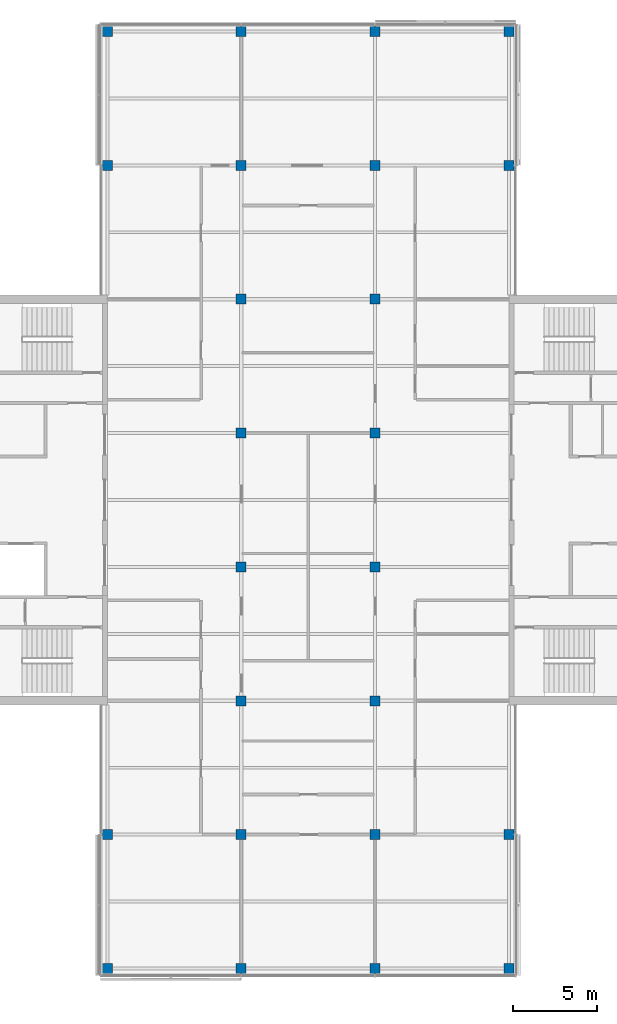
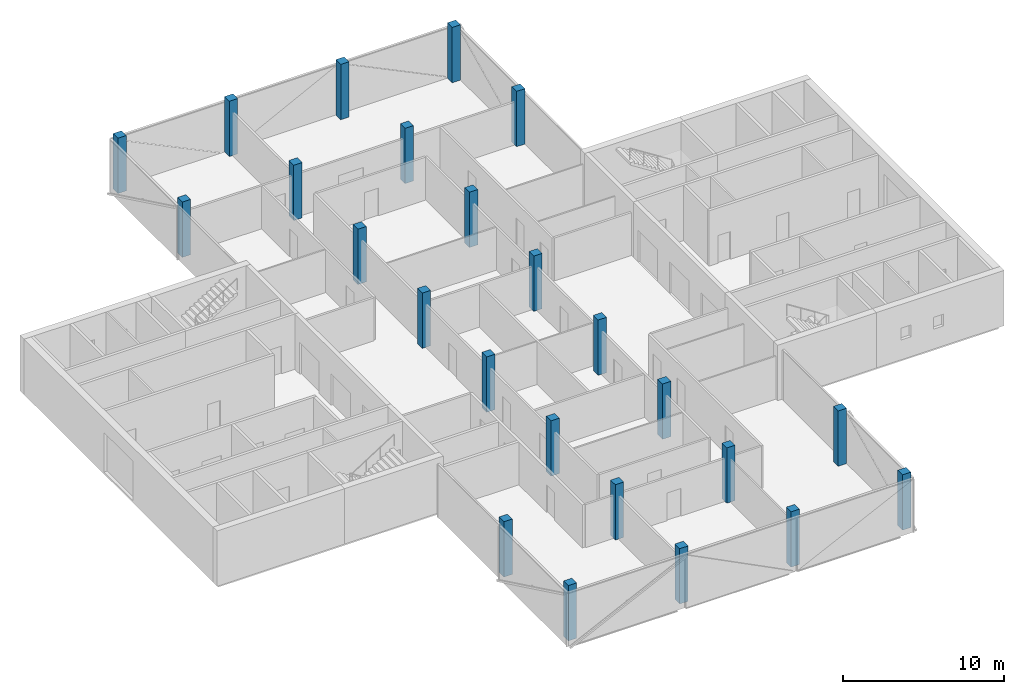
# One storey, part 1 of 16: 24 columns.
"""IFC4 building model written with IfcOpenShell, lengths in metres."""

from ifc_helpers import new_model, si_unit, direction, frame, origin, origin_2d, place, context, subcontext, project, spatial, rectangle, extrude, material, material_profile, profile_set, type_object, element, save


model = new_model("IFC4")

# Units and contexts
model_context = context("Model", 3, precision=1e-05, world=origin(), true_north=direction((0.0, 1.0)))
body_context = subcontext(model_context, "Body", "Model", "MODEL_VIEW")
ifc_project = project(units=[si_unit("LENGTHUNIT", "METRE"), si_unit("AREAUNIT", "SQUARE_METRE"), si_unit("VOLUMEUNIT", "CUBIC_METRE"), si_unit("PLANEANGLEUNIT", "RADIAN"), si_unit("MASSUNIT", "GRAM", prefix="KILO")], contexts=[model_context])

# Site, building, storey
site_placement = place(None, origin())
site = spatial("IfcSite", under=ifc_project, at=site_placement, CompositionType="ELEMENT")
building_placement = place(site_placement, origin())
building = spatial("IfcBuilding", under=site, at=building_placement, Name="Crosswind Convention Tower", CompositionType="ELEMENT")
storey_placement = place(building_placement, frame((0.0, 0.0, 299.699951171875)))
storey = spatial("IfcBuildingStorey", under=building, at=storey_placement, Name="L65", CompositionType="ELEMENT", Elevation=299.699951171875)

# Columns
ifc_material = material(Name="Concrete C60/75", Category="concrete")
ifc_material_profile = material_profile(ifc_material, rectangle(XDim=0.60009765625, YDim=0.60009765625, at=origin_2d()), Name="RC 600X600")
ifc_profile_set = profile_set([ifc_material_profile], Name="Concrete C60/75")
column_type = type_object("IfcColumnType", Name="Column RC 600X600", PredefinedType="COLUMN", material=ifc_profile_set)
for number, where, z_axis, x_axis, name in (
    (1, (113.0, 72.0, 0.0), (0.0, 0.0, 1.0), (1.0, 0.0, 0.0), "C16 L65 5/C"),
    (2, (113.0, 80.0, 0.0), (0.0, 0.0, 1.0), (1.0, 0.0, 0.0), "C16 L65 5/D"),
    (3, (113.0, 120.0, 0.0), (0.0, 0.0, 1.0), (1.0, 0.0, 0.0), "C16 L65 5/I"),
    (4, (113.0, 128.0, 0.0), (0.0, 0.0, 1.0), (1.0, 0.0, 0.0), "C16 L65 5/J"),
    (5, (121.0, 72.0, 0.0), (0.0, 0.0, 1.0), (1.0, 0.0, 0.0), "C16 L65 6/C"),
    (6, (121.0, 80.0, 0.0), (0.0, 0.0, 1.0), (1.0, 0.0, 0.0), "C16 L65 6/D"),
    (7, (121.0, 88.0, 0.0), (0.0, 0.0, 1.0), (1.0, 0.0, 0.0), "C16 L65 6/E"),
    (8, (121.0, 96.0, 0.0), (0.0, 0.0, 1.0), (1.0, 0.0, 0.0), "C16 L65 6/F"),
    (9, (121.0, 104.0, 0.0), (0.0, 0.0, 1.0), (1.0, 0.0, 0.0), "C16 L65 6/G"),
    (10, (121.0, 112.0, 0.0), (0.0, 0.0, 1.0), (1.0, 0.0, 0.0), "C16 L65 6/H"),
    (11, (121.0, 120.0, 0.0), (0.0, 0.0, 1.0), (1.0, 0.0, 0.0), "C16 L65 6/I"),
    (12, (121.0, 128.0, 0.0), (0.0, 0.0, 1.0), (1.0, 0.0, 0.0), "C16 L65 6/J"),
    (13, (129.0, 72.0, 0.0), (0.0, 0.0, 1.0), (1.0, 0.0, 0.0), "C16 L65 7/C"),
    (14, (129.0, 80.0, 0.0), (0.0, 0.0, 1.0), (1.0, 0.0, 0.0), "C16 L65 7/D"),
    (15, (129.0, 88.0, 0.0), (0.0, 0.0, 1.0), (1.0, 0.0, 0.0), "C16 L65 7/E"),
    (16, (129.0, 96.0, 0.0), (0.0, 0.0, 1.0), (1.0, 0.0, 0.0), "C16 L65 7/F"),
    (17, (129.0, 104.0, 0.0), (0.0, 0.0, 1.0), (1.0, 0.0, 0.0), "C16 L65 7/G"),
    (18, (129.0, 112.0, 0.0), (0.0, 0.0, 1.0), (1.0, 0.0, 0.0), "C16 L65 7/H"),
    (19, (129.0, 120.0, 0.0), (0.0, 0.0, 1.0), (1.0, 0.0, 0.0), "C16 L65 7/I"),
    (20, (129.0, 128.0, 0.0), (0.0, 0.0, 1.0), (1.0, 0.0, 0.0), "C16 L65 7/J"),
    (21, (137.0, 72.0, 0.0), (0.0, 0.0, 1.0), (1.0, 0.0, 0.0), "C16 L65 8/C"),
    (22, (137.0, 80.0, 0.0), (0.0, 0.0, 1.0), (1.0, 0.0, 0.0), "C16 L65 8/D"),
    (23, (137.0, 120.0, 0.0), (0.0, 0.0, 1.0), (1.0, 0.0, 0.0), "C16 L65 8/I"),
    (24, (137.0, 128.0, 0.0), (0.0, 0.0, 1.0), (1.0, 0.0, 0.0), "C16 L65 8/J"),
):
    element("IfcColumn", number, at=place(storey_placement, frame(where, z_axis=z_axis, x_axis=x_axis)), inside=storey, type_object=column_type, Name=name, PredefinedType="COLUMN", context=body_context, shape_type="SweptSolid", body=[
        extrude(rectangle(XDim=0.60009765625, YDim=0.60009765625, at=origin_2d()), origin(), (0.0, 0.0, 1.0), 4.199951171875),
    ])

save(model, "model.ifc")
